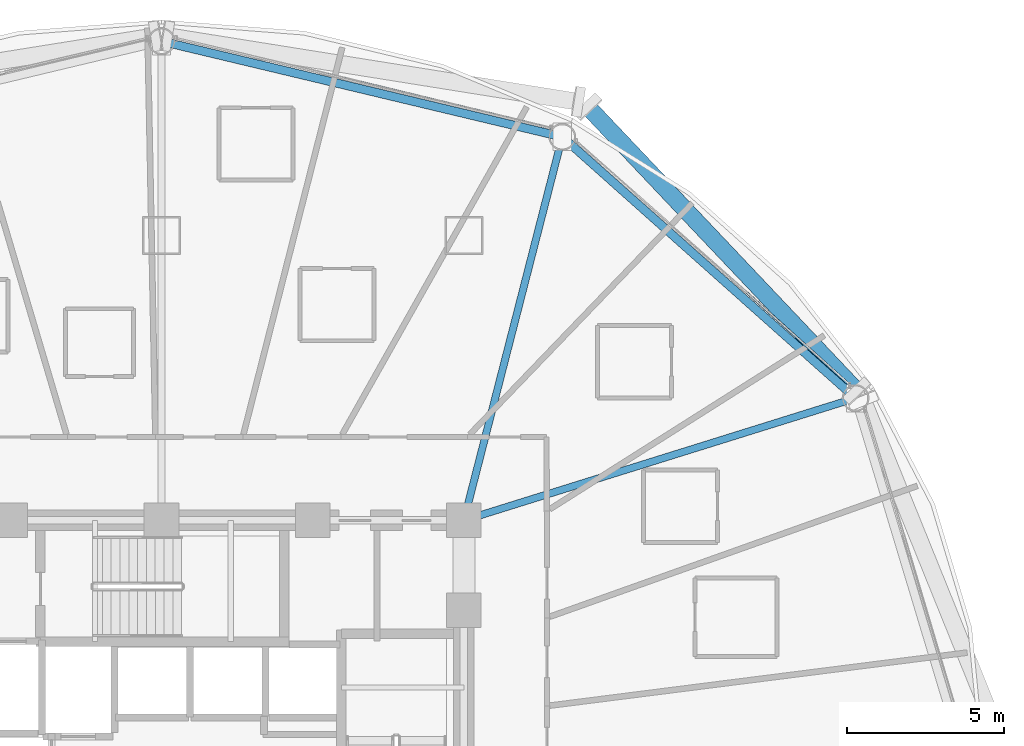
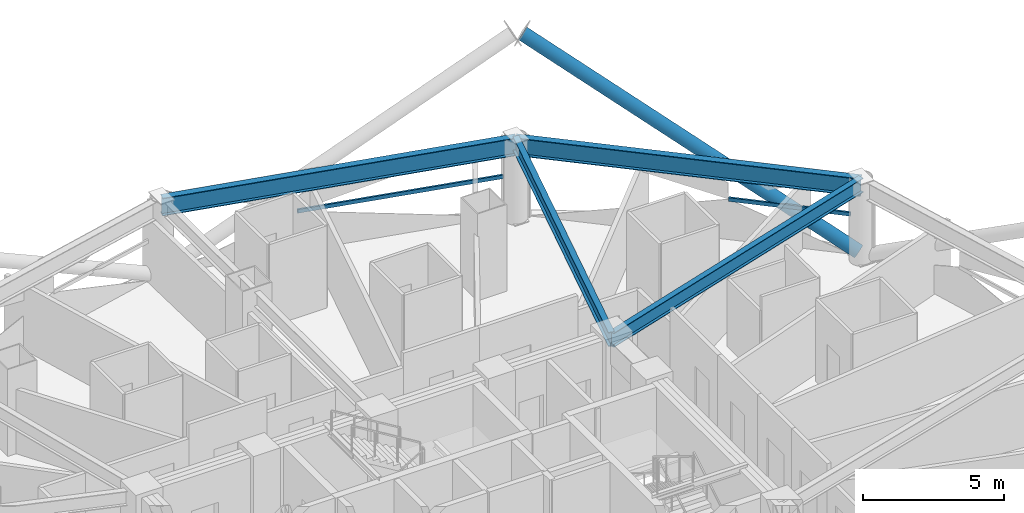
# One storey, part 18 of 31: 4 beams, 3 members, 2 elements without a shape of their own.
"""IFC4 building model written with IfcOpenShell, lengths in metres."""

from ifc_helpers import new_model, si_unit, direction, frame, origin, origin_2d, place, context, subcontext, project, spatial, hollow_rectangle, hollow_circle, i_section, extrude, material, layer, layer_set, material_profile, profile_set, type_object, element, aggregate, save


model = new_model("IFC4")

# Units and contexts
model_context = context("Model", 3, precision=1e-05, world=origin(), true_north=direction((0.0, 1.0)))
body_context = subcontext(model_context, "Body", "Model", "MODEL_VIEW")
ifc_project = project(units=[si_unit("LENGTHUNIT", "METRE"), si_unit("AREAUNIT", "SQUARE_METRE"), si_unit("VOLUMEUNIT", "CUBIC_METRE"), si_unit("PLANEANGLEUNIT", "RADIAN"), si_unit("MASSUNIT", "GRAM", prefix="KILO")], contexts=[model_context])

# Site, building, storey
site_placement = place(None, origin())
site = spatial("IfcSite", under=ifc_project, at=site_placement, CompositionType="ELEMENT")
building_placement = place(site_placement, origin())
building = spatial("IfcBuilding", under=site, at=building_placement, Name="Vantalir Tower", CompositionType="ELEMENT")
storey_placement = place(building_placement, frame((0.0, 0.0, 34.5)))
storey = spatial("IfcBuildingStorey", under=building, at=storey_placement, Name="L07", CompositionType="ELEMENT", Elevation=34.5)

# Beams
ifc_material_1 = material(Name="Steel S355", Category="steel")
ifc_material_profile_1 = material_profile(ifc_material_1, i_section(OverallWidth=0.22998046875, OverallDepth=0.616943359375, WebThickness=0.01318359375, FlangeThickness=0.022216796875, at=origin_2d()), Name="Steel S355")
ifc_profile_set_1 = profile_set([ifc_material_profile_1], Name="Steel S355")
beam_type_1 = type_object("IfcBeamType", Name="BM-RB-610x229", PredefinedType="BEAM", material=ifc_profile_set_1)
beam_1_placement = place(storey_placement, frame((53.5400390625, 36.33203125, 3.261962890625), z_axis=(-0.954597910708, -0.297897346198, 0.0), x_axis=(0.297897346198, -0.954597910708, 0.0)))
element("IfcBeam", 1, at=beam_1_placement, inside=storey, type_object=beam_type_1, Name="L07 Radial Floor Beam 02", PredefinedType="BEAM", context=body_context, shape_type="SweptSolid", body=[
    extrude(i_section(OverallWidth=0.22998046875, OverallDepth=0.616943359375, WebThickness=0.01318359375, FlangeThickness=0.022216796875, at=origin_2d()), origin(), (0.0, 0.0, 1.0), 13.031494140625),
])
beam_2_placement = place(storey_placement, frame((44.22509765625, 44.6279296875, 3.261962890625), z_axis=(-0.248557552091, -0.968617129365, 0.0), x_axis=(0.968617129365, -0.248557552091, 0.0)))
element("IfcBeam", 2, at=beam_2_placement, inside=storey, type_object=beam_type_1, Name="L07 Radial Floor Beam 03", PredefinedType="BEAM", context=body_context, shape_type="SweptSolid", body=[
    extrude(i_section(OverallWidth=0.22998046875, OverallDepth=0.616943359375, WebThickness=0.01318359375, FlangeThickness=0.022216796875, at=origin_2d()), origin(), (0.0, 0.0, 1.0), 12.572509765625),
])
ifc_material_2 = material(Name="Steel S460", Category="steel")
ifc_material_profile_2 = material_profile(ifc_material_2, i_section(OverallWidth=0.26806640625, OverallDepth=0.77001953125, WebThickness=0.015625, FlangeThickness=0.025390625, at=origin_2d()), Name="Steel S460")
ifc_profile_set_2 = profile_set([ifc_material_profile_2], Name="Steel S460")
beam_type_2 = type_object("IfcBeamType", Name="BM-RG-762x267", PredefinedType="USERDEFINED", material=ifc_profile_set_2)
beam_3_placement = place(storey_placement, frame((53.5400390625, 36.33203125, 3.18505859375), z_axis=(-0.746774014303, 0.665077868795, 0.0), x_axis=(-0.665077868795, -0.746774014303, 0.0)))
element("IfcBeam", 3, at=beam_3_placement, inside=storey, type_object=beam_type_2, Name="L07 Circumferential Ring Girder 02", ObjectType="GIRDER", PredefinedType="USERDEFINED", context=body_context, shape_type="SweptSolid", body=[
    extrude(i_section(OverallWidth=0.26806640625, OverallDepth=0.77001953125, WebThickness=0.015625, FlangeThickness=0.025390625, at=origin_2d()), origin(), (0.0, 0.0, 1.0), 12.4736328125),
])
beam_4_placement = place(storey_placement, frame((44.22509765625, 44.6279296875, 3.18505859375), z_axis=(-0.972696777879, 0.232079680935, 0.0), x_axis=(-0.232079680935, -0.972696777879, 0.0)))
element("IfcBeam", 4, at=beam_4_placement, inside=storey, type_object=beam_type_2, Name="L07 Circumferential Ring Girder 03", ObjectType="GIRDER", PredefinedType="USERDEFINED", context=body_context, shape_type="SweptSolid", body=[
    extrude(i_section(OverallWidth=0.26806640625, OverallDepth=0.77001953125, WebThickness=0.015625, FlangeThickness=0.025390625, at=origin_2d()), origin(), (0.0, 0.0, 1.0), 13.082275390625),
])

# Curtain wall, member
ifc_material_3 = material(Name="Champagne-silver PVDF aluminium and double-silver Low-E glass", Category="aluminium")
ifc_layer = layer(ifc_material_3, 0.18994140625)
ifc_layer_set = layer_set([ifc_layer], Name="Champagne-silver PVDF aluminium and double-silver Low-E glass")
curtain_wall_type = type_object("IfcCurtainWallType", Name="CW-DIAMOND-Z1", PredefinedType="USERDEFINED", material=ifc_layer_set)
curtain_wall_1_placement = place(storey_placement, origin())
curtain_wall_1 = element("IfcCurtainWall", 5, at=curtain_wall_1_placement, inside=storey, type_object=curtain_wall_type, Name="L07 Quilted Pyramid-Diamond Curtain Wall S02", ObjectType="UNITISED CURTAIN WALL", PredefinedType="USERDEFINED")
ifc_material_4 = material(Name="Champagne-silver PVDF aluminium 6063-T6", Category="aluminium")
ifc_material_profile_3 = material_profile(ifc_material_4, hollow_rectangle(XDim=0.074951171875, YDim=0.159912109375, WallThickness=0.00390625, at=origin_2d()), Name="Champagne-silver PVDF aluminium 6063-T6")
ifc_profile_set_3 = profile_set([ifc_material_profile_3], Name="Champagne-silver PVDF aluminium 6063-T6")
member_type_1 = type_object("IfcMemberType", Name="CWT-160x75", PredefinedType="USERDEFINED", material=ifc_profile_set_3)
member_1_placement = place(storey_placement, frame((53.35400390625, 36.739990234375, 1.784912109375), z_axis=(-0.7429394407, 0.669358638887, 0.0), x_axis=(-0.669358638887, -0.7429394407, 0.0)))
member_1 = element("IfcMember", 6, at=member_1_placement, type_object=member_type_1, Name="CW-L07-S02 Pyramid Fold Ridge Transom", ObjectType="TRANSOM", PredefinedType="USERDEFINED", context=body_context, shape_type="SweptSolid", body=[
    extrude(hollow_rectangle(XDim=0.074951171875, YDim=0.159912109375, WallThickness=0.00390625, at=origin_2d()), origin(), (0.0, 0.0, 1.0), 4.416259765625),
])
aggregate(curtain_wall_1, [member_1])

curtain_wall_2_placement = place(storey_placement, origin())
curtain_wall_2 = element("IfcCurtainWall", 7, at=curtain_wall_2_placement, inside=storey, type_object=curtain_wall_type, Name="L07 Quilted Pyramid-Diamond Curtain Wall S03", ObjectType="UNITISED CURTAIN WALL", PredefinedType="USERDEFINED")
member_2_placement = place(storey_placement, frame((43.863037109375, 44.90087890625, 1.784912109375), z_axis=(-0.971880452812, 0.235474808506, 0.0), x_axis=(-0.235474808506, -0.971880452812, 0.0)))
member_2 = element("IfcMember", 8, at=member_2_placement, type_object=member_type_1, Name="CW-L07-S03 Pyramid Fold Ridge Transom", ObjectType="TRANSOM", PredefinedType="USERDEFINED", context=body_context, shape_type="SweptSolid", body=[
    extrude(hollow_rectangle(XDim=0.074951171875, YDim=0.159912109375, WallThickness=0.00390625, at=origin_2d()), origin(), (0.0, 0.0, 1.0), 7.58935546875),
])
aggregate(curtain_wall_2, [member_2])

# Member
ifc_material_profile_4 = material_profile(ifc_material_2, hollow_circle(Radius=0.27001953125, WallThickness=0.044921875, at=origin_2d()), Name="Steel S460")
ifc_profile_set_4 = profile_set([ifc_material_profile_4], Name="Steel S460")
member_type_2 = type_object("IfcMemberType", Name="MEM-DB-540x45", PredefinedType="BRACE", material=ifc_profile_set_4)
member_3_placement = place(storey_placement, frame((53.572998046875, 36.56591796875, 0.18701171875), z_axis=(-0.599781300781, 0.633632997243, 0.488642626096), x_axis=(-0.726240223192, -0.687441007083, 0.0)))
element("IfcMember", 9, at=member_3_placement, inside=storey, type_object=member_type_2, Name="L07 Perimeter S460 Diagrid Brace R04L", PredefinedType="BRACE", context=body_context, shape_type="SweptSolid", body=[
    extrude(hollow_circle(Radius=0.27001953125, WallThickness=0.044921875, at=origin_2d()), origin(), (0.0, 0.0, 1.0), 14.215087890625),
])

save(model, "model.ifc")
